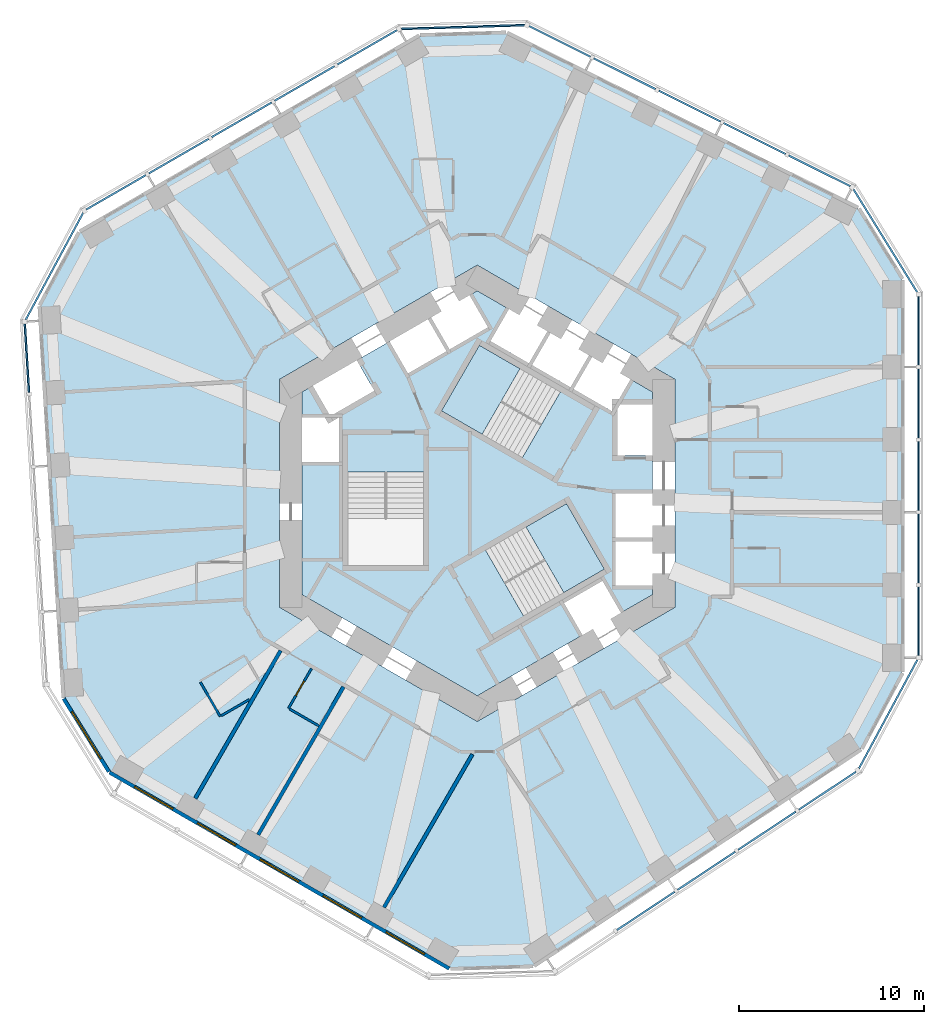
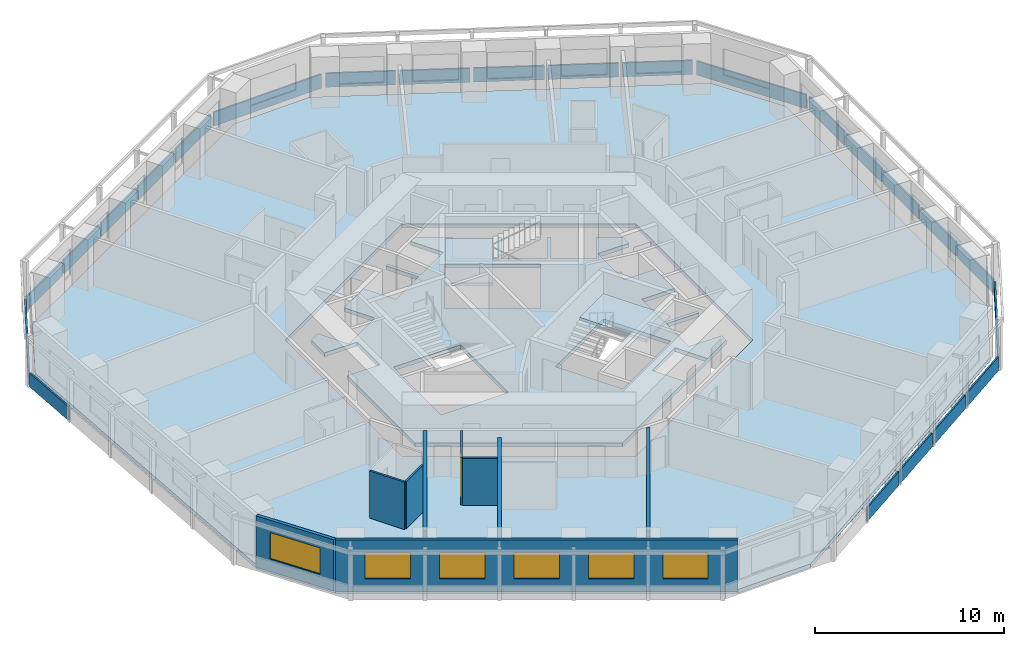
# One storey, part 3 of 12: 24 plates, 9 walls, 6 windows, 4 slabs, 1 door, 7 openings, 11 elements without a shape of their own.
"""IFC4 building model written with IfcOpenShell, lengths in metres."""

from ifc_helpers import new_model, si_unit, direction, frame, frame_2d, origin, origin_2d, place, context, subcontext, project, spatial, polyline, rectangle, outline, extrude, material, layer, layer_set, type_object, element, fill, aggregate, save


model = new_model("IFC4")

# Units and contexts
model_context = context("Model", 3, precision=1e-05, world=origin(), true_north=direction((0.0, 1.0)))
body_context = subcontext(model_context, "Body", "Model", "MODEL_VIEW")
ifc_project = project(units=[si_unit("LENGTHUNIT", "METRE"), si_unit("AREAUNIT", "SQUARE_METRE"), si_unit("VOLUMEUNIT", "CUBIC_METRE"), si_unit("PLANEANGLEUNIT", "RADIAN"), si_unit("MASSUNIT", "GRAM", prefix="KILO")], contexts=[model_context])

# Site, building, storey
site_placement = place(None, origin())
site = spatial("IfcSite", under=ifc_project, at=site_placement, CompositionType="ELEMENT")
building_placement = place(site_placement, origin())
building = spatial("IfcBuilding", under=site, at=building_placement, Name="Vanh Sen Convention Tower", CompositionType="ELEMENT")
storey_placement = place(building_placement, frame((0.0, 0.0, 47.300048828125)))
storey = spatial("IfcBuildingStorey", under=building, at=storey_placement, Name="L08", CompositionType="ELEMENT", Elevation=47.300048828125)

# Slabs
ifc_material_1 = material(Name="Concrete C40/50", Category="concrete")
ifc_layer_1 = layer(ifc_material_1, 0.25)
ifc_layer_set_1 = layer_set([ifc_layer_1], Name="Concrete C40/50")
slab_type_1 = type_object("IfcSlabType", Name="Core slab 250", PredefinedType="FLOOR", material=ifc_layer_set_1)
slab_1_placement = place(storey_placement, frame((0.0, 0.0, -0.25)))
element("IfcSlab", 1, at=slab_1_placement, inside=storey, type_object=slab_type_1, Name="Core slab L08", PredefinedType="FLOOR", context=body_context, shape_type="SweptSolid", body=[
    extrude(outline(polyline([(9.5, 5.48486328125), (9.5, 4.800048828125), (7.60009765625, 4.800048828125), (7.60009765625, 2.050048828125), (9.5, 2.050048828125), (9.5, 0.0), (7.5, 0.0), (7.5, -2.39990234375), (9.5, -2.39990234375), (9.5, -2.60009765625), (7.5, -2.60009765625), (7.5, -5.0), (9.5, -5.0), (9.5, -5.48486328125), (0.0, -10.9697265625), (-9.5, -5.48486328125), (-9.5, 1.699951171875), (-7.5, 1.699951171875), (-7.5, 4.10009765625), (-9.5, 4.10009765625), (-9.5, 5.48486328125), (-8.906982421875, 5.8271484375), (-7.956787109375, 4.181884765625), (-5.575439453125, 5.556884765625), (-6.525390625, 7.2021484375), (-4.75, 8.227294921875), (-3.75, 6.4951171875), (-1.67138671875, 7.6953125), (-2.67138671875, 9.42724609375), (-2.498291015625, 9.527099609375), (-1.498291015625, 7.795166015625), (0.580078125, 8.9951171875), (-0.419921875, 10.727294921875), (0.0, 10.9697265625), (1.718994140625, 9.977294921875), (0.718994140625, 8.2451171875), (2.79736328125, 7.045166015625), (3.79736328125, 8.777099609375), (3.970703125, 8.67724609375), (2.970703125, 6.9453125), (5.049072265625, 5.7451171875), (6.049072265625, 7.477294921875), (6.22216796875, 7.377197265625), (5.22216796875, 5.645263671875), (7.30078125, 4.4453125), (8.30078125, 6.17724609375), (9.5, 5.48486328125)]), holes=[polyline([(-7.0, 3.14990234375), (-7.0, -3.909912109375), (-2.89990234375, -3.909912109375), (-2.89990234375, 3.14990234375), (-2.89990234375, 1.1494140625), (-7.0, 1.1494140625), (-7.0, 3.14990234375)]), polyline([(4.495361328125, 5.487548828125), (6.22802734375, 4.4873046875), (0.11376953125, 8.01708984375), (-1.936279296875, 4.466552734375), (2.4453125, 1.936767578125), (4.495361328125, 5.487548828125)]), polyline([(7.781005859375, -6.477294921875), (6.781005859375, -4.7451171875), (4.70263671875, -5.9453125), (5.70263671875, -7.67724609375), (7.781005859375, -6.477294921875)]), polyline([(0.45458984375, -3.086181640625), (2.504638671875, -6.63671875), (6.88623046875, -4.107177734375), (4.836181640625, -0.556396484375), (-1.278076171875, -4.08642578125), (0.45458984375, -3.086181640625)])]), origin(), (0.0, 0.0, 1.0), 0.25),
])
ifc_layer_2 = layer(ifc_material_1, 0.25)
ifc_layer_set_2 = layer_set([ifc_layer_2], Name="Concrete C40/50")
slab_type_2 = type_object("IfcSlabType", Name="Floor slab 250 REI 120", PredefinedType="FLOOR", material=ifc_layer_set_2)
slab_2_placement = place(storey_placement, frame((0.0, 0.0, -0.25)))
element("IfcSlab", 2, at=slab_2_placement, inside=storey, type_object=slab_type_2, Name="Floor slab L08 tower", PredefinedType="FLOOR", context=body_context, shape_type="SweptSolid", body=[
    extrude(outline(polyline([(23.0, -9.69921875), (23.0, 11.57373046875), (20.620361328125, 15.419189453125), (1.58251953125, 24.911376953125), (-3.10009765625, 24.768310546875), (-21.523193359375, 14.131591796875), (-23.663818359375, 10.14794921875), (-22.364990234375, -11.085205078125), (-19.89990234375, -15.069091796875), (-1.476806640625, -25.705322265625), (3.04345703125, -25.5673828125), (20.78271484375, -13.825927734375), (23.0, -9.69921875)]), holes=[polyline([(0.0, 12.355224609375), (-10.699951171875, 6.177490234375), (-10.699951171875, -6.177490234375), (0.0, -12.355224609375), (10.699951171875, -6.177490234375), (10.699951171875, 6.177490234375), (0.0, 12.355224609375)])]), origin(), (0.0, 0.0, 1.0), 0.25),
])

# Curtain wall, plates
ifc_material_2 = material(Name="Concrete C50/60", Category="concrete")
curtain_wall_type = type_object("IfcCurtainWallType", Name="Outer skin hotel zone", PredefinedType="NOTDEFINED", material=ifc_material_2)
curtain_wall_1_placement = place(storey_placement, origin())
curtain_wall_1 = element("IfcCurtainWall", 3, at=curtain_wall_1_placement, inside=storey, type_object=curtain_wall_type, Name="OUTER SKIN E L08", PredefinedType="NOTDEFINED")
ifc_layer_3 = layer(ifc_material_2, 0.10009765625)
ifc_layer_set_3 = layer_set([ifc_layer_3], Name="Concrete C50/60")
plate_type = type_object("IfcPlateType", Name="Outer skin precast screen panel 100", PredefinedType="CURTAIN_PANEL", material=ifc_layer_set_3)
plate_1_placement = place(storey_placement, frame((23.89990234375, -6.91943359375, 0.0), z_axis=(0.0, 0.0, 1.0), x_axis=(0.0, 1.0, 0.0)))
plate_1 = element("IfcPlate", 4, at=plate_1_placement, type_object=plate_type, Name="OUTER SKIN screen panel E-1", PredefinedType="CURTAIN_PANEL", context=body_context, shape_type="SweptSolid", body=[
    extrude(rectangle(XDim=3.709716796875, YDim=0.10009765625, at=origin_2d()), origin(), (0.0, 0.0, 1.0), 0.89990234375),
])
plate_2_placement = place(storey_placement, frame((23.89990234375, -2.997314453125, 0.0), z_axis=(0.0, 0.0, 1.0), x_axis=(0.0, 1.0, 0.0)))
plate_2 = element("IfcPlate", 5, at=plate_2_placement, type_object=plate_type, Name="OUTER SKIN screen panel E-2", PredefinedType="CURTAIN_PANEL", context=body_context, shape_type="SweptSolid", body=[
    extrude(rectangle(XDim=3.734619140625, YDim=0.10009765625, at=origin_2d()), origin(), (0.0, 0.0, 1.0), 0.89990234375),
])
plate_3_placement = place(storey_placement, frame((23.89990234375, 0.937255859375, 0.0), z_axis=(0.0, 0.0, 1.0), x_axis=(0.0, 1.0, 0.0)))
plate_3 = element("IfcPlate", 6, at=plate_3_placement, type_object=plate_type, Name="OUTER SKIN screen panel E-3", PredefinedType="CURTAIN_PANEL", context=body_context, shape_type="SweptSolid", body=[
    extrude(rectangle(XDim=3.734619140625, YDim=0.10009765625, at=origin_2d()), origin(), (0.0, 0.0, 1.0), 0.89990234375),
])
plate_4_placement = place(storey_placement, frame((23.89990234375, 4.871826171875, 0.0), z_axis=(0.0, 0.0, 1.0), x_axis=(0.0, 1.0, 0.0)))
plate_4 = element("IfcPlate", 7, at=plate_4_placement, type_object=plate_type, Name="OUTER SKIN screen panel E-4", PredefinedType="CURTAIN_PANEL", context=body_context, shape_type="SweptSolid", body=[
    extrude(rectangle(XDim=3.734619140625, YDim=0.10009765625, at=origin_2d()), origin(), (0.0, 0.0, 1.0), 0.89990234375),
])
plate_5_placement = place(storey_placement, frame((23.89990234375, 8.7939453125, 0.0), z_axis=(0.0, 0.0, 1.0), x_axis=(0.0, 1.0, 0.0)))
plate_5 = element("IfcPlate", 8, at=plate_5_placement, type_object=plate_type, Name="OUTER SKIN screen panel E-5", PredefinedType="CURTAIN_PANEL", context=body_context, shape_type="SweptSolid", body=[
    extrude(rectangle(XDim=3.709716796875, YDim=0.10009765625, at=origin_2d()), origin(), (0.0, 0.0, 1.0), 0.89990234375),
])
aggregate(curtain_wall_1, [plate_1, plate_2, plate_3, plate_4, plate_5])

# Curtain wall, plate
curtain_wall_2_placement = place(storey_placement, origin())
curtain_wall_2 = element("IfcCurtainWall", 9, at=curtain_wall_2_placement, inside=storey, type_object=curtain_wall_type, Name="OUTER SKIN CH1 L08", PredefinedType="NOTDEFINED")
plate_6_placement = place(storey_placement, frame((22.102783203125, 13.677734375, 0.0), z_axis=(0.0, 0.0, 1.0), x_axis=(-0.526212439506, 0.850353143411, 0.0)))
plate_6 = element("IfcPlate", 10, at=plate_6_placement, type_object=plate_type, Name="OUTER SKIN screen panel CH1-1", PredefinedType="CURTAIN_PANEL", context=body_context, shape_type="SweptSolid", body=[
    extrude(rectangle(XDim=6.580078125, YDim=0.10009765625, at=origin_2d()), origin(), (0.0, 0.0, 1.0), 0.89990234375),
])
aggregate(curtain_wall_2, [plate_6])

# Curtain wall, plates
curtain_wall_3_placement = place(storey_placement, origin())
curtain_wall_3 = element("IfcCurtainWall", 11, at=curtain_wall_3_placement, inside=storey, type_object=curtain_wall_type, Name="OUTER SKIN NE L08", PredefinedType="NOTDEFINED")
plate_7_placement = place(storey_placement, frame((18.5341796875, 17.465087890625, 0.0), z_axis=(0.0, 0.0, 1.0), x_axis=(-0.894935140363, 0.446196251154, 0.0)))
plate_7 = element("IfcPlate", 12, at=plate_7_placement, type_object=plate_type, Name="OUTER SKIN screen panel NE-1", PredefinedType="CURTAIN_PANEL", context=body_context, shape_type="SweptSolid", body=[
    extrude(rectangle(XDim=3.709716796875, YDim=0.10009765625, at=origin_2d()), origin(), (0.0, 0.0, 1.0), 0.89990234375),
])
plate_8_placement = place(storey_placement, frame((15.024169921875, 19.215087890625, 0.0), z_axis=(0.0, 0.0, 1.0), x_axis=(-0.894935140363, 0.446196251154, 0.0)))
plate_8 = element("IfcPlate", 13, at=plate_8_placement, type_object=plate_type, Name="OUTER SKIN screen panel NE-2", PredefinedType="CURTAIN_PANEL", context=body_context, shape_type="SweptSolid", body=[
    extrude(rectangle(XDim=3.734619140625, YDim=0.10009765625, at=origin_2d()), origin(), (0.0, 0.0, 1.0), 0.89990234375),
])
plate_9_placement = place(storey_placement, frame((11.5029296875, 20.970703125, 0.0), z_axis=(0.0, 0.0, 1.0), x_axis=(-0.894935140363, 0.446196251154, 0.0)))
plate_9 = element("IfcPlate", 14, at=plate_9_placement, type_object=plate_type, Name="OUTER SKIN screen panel NE-3", PredefinedType="CURTAIN_PANEL", context=body_context, shape_type="SweptSolid", body=[
    extrude(rectangle(XDim=3.734619140625, YDim=0.10009765625, at=origin_2d()), origin(), (0.0, 0.0, 1.0), 0.89990234375),
])
plate_10_placement = place(storey_placement, frame((7.981689453125, 22.726318359375, 0.0), z_axis=(0.0, 0.0, 1.0), x_axis=(-0.894935140363, 0.446196251154, 0.0)))
plate_10 = element("IfcPlate", 15, at=plate_10_placement, type_object=plate_type, Name="OUTER SKIN screen panel NE-4", PredefinedType="CURTAIN_PANEL", context=body_context, shape_type="SweptSolid", body=[
    extrude(rectangle(XDim=3.734619140625, YDim=0.10009765625, at=origin_2d()), origin(), (0.0, 0.0, 1.0), 0.89990234375),
])
plate_11_placement = place(storey_placement, frame((4.4716796875, 24.476318359375, 0.0), z_axis=(0.0, 0.0, 1.0), x_axis=(-0.894935140363, 0.446196251154, 0.0)))
plate_11 = element("IfcPlate", 16, at=plate_11_placement, type_object=plate_type, Name="OUTER SKIN screen panel NE-5", PredefinedType="CURTAIN_PANEL", context=body_context, shape_type="SweptSolid", body=[
    extrude(rectangle(XDim=3.709716796875, YDim=0.10009765625, at=origin_2d()), origin(), (0.0, 0.0, 1.0), 0.89990234375),
])
aggregate(curtain_wall_3, [plate_7, plate_8, plate_9, plate_10, plate_11])

# Curtain wall, plate
curtain_wall_4_placement = place(storey_placement, origin())
curtain_wall_4 = element("IfcCurtainWall", 17, at=curtain_wall_4_placement, inside=storey, type_object=curtain_wall_type, Name="OUTER SKIN CH2 L08", PredefinedType="NOTDEFINED")
plate_12_placement = place(storey_placement, frame((-0.771484375, 25.253662109375, 0.0), z_axis=(0.0, 0.0, 1.0), x_axis=(-0.999533644135, -0.030536768695, 0.0)))
plate_12 = element("IfcPlate", 18, at=plate_12_placement, type_object=plate_type, Name="OUTER SKIN screen panel CH2-1", PredefinedType="CURTAIN_PANEL", context=body_context, shape_type="SweptSolid", body=[
    extrude(rectangle(XDim=6.696044921875, YDim=0.10009765625, at=origin_2d()), origin(), (0.0, 0.0, 1.0), 0.89990234375),
])
aggregate(curtain_wall_4, [plate_12])

# Curtain wall, plates
curtain_wall_5_placement = place(storey_placement, origin())
curtain_wall_5 = element("IfcCurtainWall", 19, at=curtain_wall_5_placement, inside=storey, type_object=curtain_wall_type, Name="OUTER SKIN NW L08", PredefinedType="NOTDEFINED")
plate_13_placement = place(storey_placement, frame((-5.95751953125, 24.15771484375, 0.0), z_axis=(0.0, 0.0, 1.0), x_axis=(-0.866028021766, -0.499995465495, 0.0)))
plate_13 = element("IfcPlate", 20, at=plate_13_placement, type_object=plate_type, Name="OUTER SKIN screen panel NW-1", PredefinedType="CURTAIN_PANEL", context=body_context, shape_type="SweptSolid", body=[
    extrude(rectangle(XDim=3.709716796875, YDim=0.10009765625, at=origin_2d()), origin(), (0.0, 0.0, 1.0), 0.89990234375),
])
plate_14_placement = place(storey_placement, frame((-9.354248046875, 22.19677734375, 0.0), z_axis=(0.0, 0.0, 1.0), x_axis=(-0.866021040428, -0.500007557478, 0.0)))
plate_14 = element("IfcPlate", 21, at=plate_14_placement, type_object=plate_type, Name="OUTER SKIN screen panel NW-2", PredefinedType="CURTAIN_PANEL", context=body_context, shape_type="SweptSolid", body=[
    extrude(rectangle(XDim=3.734619140625, YDim=0.10009765625, at=origin_2d()), origin(), (0.0, 0.0, 1.0), 0.89990234375),
])
plate_15_placement = place(storey_placement, frame((-12.76171875, 20.2294921875, 0.0), z_axis=(0.0, 0.0, 1.0), x_axis=(-0.866028021766, -0.499995465495, 0.0)))
plate_15 = element("IfcPlate", 22, at=plate_15_placement, type_object=plate_type, Name="OUTER SKIN screen panel NW-3", PredefinedType="CURTAIN_PANEL", context=body_context, shape_type="SweptSolid", body=[
    extrude(rectangle(XDim=3.734619140625, YDim=0.10009765625, at=origin_2d()), origin(), (0.0, 0.0, 1.0), 0.89990234375),
])
plate_16_placement = place(storey_placement, frame((-16.169189453125, 18.26220703125, 0.0), z_axis=(0.0, 0.0, 1.0), x_axis=(-0.866028021766, -0.499995465495, 0.0)))
plate_16 = element("IfcPlate", 23, at=plate_16_placement, type_object=plate_type, Name="OUTER SKIN screen panel NW-4", PredefinedType="CURTAIN_PANEL", context=body_context, shape_type="SweptSolid", body=[
    extrude(rectangle(XDim=3.734619140625, YDim=0.10009765625, at=origin_2d()), origin(), (0.0, 0.0, 1.0), 0.89990234375),
])
plate_17_placement = place(storey_placement, frame((-19.56591796875, 16.301025390625, 0.0), z_axis=(0.0, 0.0, 1.0), x_axis=(-0.866021040428, -0.500007557478, 0.0)))
plate_17 = element("IfcPlate", 24, at=plate_17_placement, type_object=plate_type, Name="OUTER SKIN screen panel NW-5", PredefinedType="CURTAIN_PANEL", context=body_context, shape_type="SweptSolid", body=[
    extrude(rectangle(XDim=3.70947265625, YDim=0.10009765625, at=origin_2d()), origin(), (0.0, 0.0, 1.0), 0.89990234375),
])
aggregate(curtain_wall_5, [plate_13, plate_14, plate_15, plate_16, plate_17])

# Curtain wall, plate
curtain_wall_6_placement = place(storey_placement, origin())
curtain_wall_6 = element("IfcCurtainWall", 25, at=curtain_wall_6_placement, inside=storey, type_object=curtain_wall_type, Name="OUTER SKIN CH3 L08", PredefinedType="NOTDEFINED")
plate_18_placement = place(storey_placement, frame((-22.896728515625, 12.302978515625, 0.0), z_axis=(0.0, 0.0, 1.0), x_axis=(-0.47331812974, -0.880891564303, 0.0)))
plate_18 = element("IfcPlate", 26, at=plate_18_placement, type_object=plate_type, Name="OUTER SKIN screen panel CH3-1", PredefinedType="CURTAIN_PANEL", context=body_context, shape_type="SweptSolid", body=[
    extrude(rectangle(XDim=6.580078125, YDim=0.10009765625, at=origin_2d()), origin(), (0.0, 0.0, 1.0), 0.89990234375),
])
aggregate(curtain_wall_6, [plate_18])

curtain_wall_7_placement = place(storey_placement, origin())
curtain_wall_7 = element("IfcCurtainWall", 27, at=curtain_wall_7_placement, inside=storey, type_object=curtain_wall_type, Name="OUTER SKIN W L08", PredefinedType="NOTDEFINED")
plate_19_placement = place(storey_placement, frame((-24.39208984375, 7.318603515625, 0.0), z_axis=(0.0, 0.0, 1.0), x_axis=(0.061046797461, -0.99813490497, 0.0)))
plate_19 = element("IfcPlate", 28, at=plate_19_placement, type_object=plate_type, Name="OUTER SKIN screen panel W-1", PredefinedType="CURTAIN_PANEL", context=body_context, shape_type="SweptSolid", body=[
    extrude(rectangle(XDim=3.709716796875, YDim=0.10009765625, at=origin_2d()), origin(), (0.0, 0.0, 1.0), 0.89990234375),
])
aggregate(curtain_wall_7, [plate_19])

# Curtain wall, plates
curtain_wall_8_placement = place(storey_placement, origin())
curtain_wall_8 = element("IfcCurtainWall", 29, at=curtain_wall_8_placement, inside=storey, type_object=curtain_wall_type, Name="OUTER SKIN SE L08", PredefinedType="NOTDEFINED")
plate_20_placement = place(storey_placement, frame((9.128662109375, -22.618896484375, 0.0), z_axis=(0.0, 0.0, 1.0), x_axis=(0.833891601892, 0.55192825285, 0.0)))
plate_20 = element("IfcPlate", 30, at=plate_20_placement, type_object=plate_type, Name="OUTER SKIN screen panel SE-2", PredefinedType="CURTAIN_PANEL", context=body_context, shape_type="SweptSolid", body=[
    extrude(rectangle(XDim=3.734619140625, YDim=0.10009765625, at=origin_2d()), origin(), (0.0, 0.0, 1.0), 0.89990234375),
])
plate_21_placement = place(storey_placement, frame((12.40966796875, -20.447265625, 0.0), z_axis=(0.0, 0.0, 1.0), x_axis=(0.833880042151, 0.551945717714, 0.0)))
plate_21 = element("IfcPlate", 31, at=plate_21_placement, type_object=plate_type, Name="OUTER SKIN screen panel SE-3", PredefinedType="CURTAIN_PANEL", context=body_context, shape_type="SweptSolid", body=[
    extrude(rectangle(XDim=3.734619140625, YDim=0.10009765625, at=origin_2d()), origin(), (0.0, 0.0, 1.0), 0.89990234375),
])
plate_22_placement = place(storey_placement, frame((15.690673828125, -18.275390625, 0.0), z_axis=(0.0, 0.0, 1.0), x_axis=(0.833891601892, 0.55192825285, 0.0)))
plate_22 = element("IfcPlate", 32, at=plate_22_placement, type_object=plate_type, Name="OUTER SKIN screen panel SE-4", PredefinedType="CURTAIN_PANEL", context=body_context, shape_type="SweptSolid", body=[
    extrude(rectangle(XDim=3.734619140625, YDim=0.10009765625, at=origin_2d()), origin(), (0.0, 0.0, 1.0), 0.89990234375),
])
plate_23_placement = place(storey_placement, frame((18.961181640625, -16.11083984375, 0.0), z_axis=(0.0, 0.0, 1.0), x_axis=(0.833880042151, 0.551945717714, 0.0)))
plate_23 = element("IfcPlate", 33, at=plate_23_placement, type_object=plate_type, Name="OUTER SKIN screen panel SE-5", PredefinedType="CURTAIN_PANEL", context=body_context, shape_type="SweptSolid", body=[
    extrude(rectangle(XDim=3.709716796875, YDim=0.10009765625, at=origin_2d()), origin(), (0.0, 0.0, 1.0), 0.89990234375),
])
aggregate(curtain_wall_8, [plate_20, plate_21, plate_22, plate_23])

# Curtain wall, plate
curtain_wall_9_placement = place(storey_placement, origin())
curtain_wall_9 = element("IfcCurtainWall", 34, at=curtain_wall_9_placement, inside=storey, type_object=curtain_wall_type, Name="OUTER SKIN CH6 L08", PredefinedType="NOTDEFINED")
plate_24_placement = place(storey_placement, frame((22.256103515625, -11.95849609375, 0.0), z_axis=(0.0, 0.0, 1.0), x_axis=(0.473322742071, 0.880889086003, 0.0)))
plate_24 = element("IfcPlate", 35, at=plate_24_placement, type_object=plate_type, Name="OUTER SKIN screen panel CH6-1", PredefinedType="CURTAIN_PANEL", context=body_context, shape_type="SweptSolid", body=[
    extrude(rectangle(XDim=6.6962890625, YDim=0.10009765625, at=origin_2d()), origin(), (0.0, 0.0, 1.0), 0.89990234375),
])
aggregate(curtain_wall_9, [plate_24])

# Stair, slab
ifc_material_3 = material(Name="Concrete C50/60", Category="concrete")
stair_type_1 = type_object("IfcStairType", Name="Exit stair ST1 20 risers at 165.0", PredefinedType="HALF_TURN_STAIR", material=ifc_material_3)
stair_1_placement = place(storey_placement, origin())
stair_1 = element("IfcStair", 36, at=stair_1_placement, inside=storey, type_object=stair_type_1, Name="Exit stair ST1 L08", PredefinedType="HALF_TURN_STAIR")
ifc_layer_4 = layer(ifc_material_1, 0.199951171875)
ifc_layer_set_4 = layer_set([ifc_layer_4], Name="Concrete C40/50")
slab_type_3 = type_object("IfcSlabType", Name="Stair landing 200", PredefinedType="LANDING", material=ifc_layer_set_4)
slab_3_placement = place(storey_placement, frame((0.0, 0.0, 1.449951171875)))
slab_3 = element("IfcSlab", 37, at=slab_3_placement, type_object=slab_type_3, Name="ST1 landing 1", PredefinedType="LANDING", context=body_context, shape_type="SweptSolid", body=[
    extrude(outline(polyline([(2.314208984375, 6.746826171875), (0.11376953125, 8.01708984375), (-1.936279296875, 4.466552734375), (0.26416015625, 3.196044921875), (2.314208984375, 6.746826171875)])), origin(), (0.0, 0.0, 1.0), 0.199951171875),
])
aggregate(stair_1, [slab_3])

stair_type_2 = type_object("IfcStairType", Name="Exit stair ST3 20 risers at 165.0", PredefinedType="HALF_TURN_STAIR", material=ifc_material_3)
stair_2_placement = place(storey_placement, origin())
stair_2 = element("IfcStair", 38, at=stair_2_placement, inside=storey, type_object=stair_type_2, Name="Exit stair ST3 L08", PredefinedType="HALF_TURN_STAIR")
slab_4_placement = place(storey_placement, frame((0.0, 0.0, 1.449951171875)))
slab_4 = element("IfcSlab", 39, at=slab_4_placement, type_object=slab_type_3, Name="ST3 landing 1", PredefinedType="LANDING", context=body_context, shape_type="SweptSolid", body=[
    extrude(outline(polyline([(4.685791015625, -5.37744140625), (6.88623046875, -4.107177734375), (4.836181640625, -0.556396484375), (2.6357421875, -1.826904296875), (4.685791015625, -5.37744140625)])), origin(), (0.0, 0.0, 1.0), 0.199951171875),
])
aggregate(stair_2, [slab_4])

# Walls
ifc_material_4 = material(Name="Moisture-resistant gypsum board on steel studs", Category="steel")
ifc_layer_5 = layer(ifc_material_4, 0.1201171875)
ifc_layer_set_5 = layer_set([ifc_layer_5], Name="Moisture-resistant gypsum board on steel studs")
wall_type_1 = type_object("IfcWallType", Name="Bathroom partition 120", PredefinedType="PARTITIONING", material=ifc_layer_set_5)
wall_1_placement = place(storey_placement, frame((-13.92578125, -12.081298828125, 0.0), z_axis=(0.0, 0.0, 1.0), x_axis=(-0.499992422807, 0.866029778435, 0.0)))
element("IfcWall", 40, at=wall_1_placement, inside=storey, type_object=wall_type_1, Name="Bathroom partition 120", PredefinedType="PARTITIONING", context=body_context, shape_type="SweptSolid", body=[
    extrude(rectangle(XDim=2.1396484375, YDim=0.1201171875, at=frame_2d((1.06982421875, 0.0))), origin(), (0.0, 0.0, 1.0), 3.050048828125),
])
wall_2_placement = place(storey_placement, frame((-12.341552734375, -11.166748046875, 0.0), z_axis=(0.0, 0.0, 1.0), x_axis=(-0.865992557167, -0.500056887695, 0.0)))
element("IfcWall", 41, at=wall_2_placement, inside=storey, type_object=wall_type_1, Name="Bathroom partition 120", PredefinedType="PARTITIONING", context=body_context, shape_type="SweptSolid", body=[
    extrude(rectangle(XDim=1.769287109375, YDim=0.1201171875, at=frame_2d((0.884765625, 0.0))), origin(), (0.0, 0.0, 1.0), 3.050048828125),
])

# Wall, opening, door
wall_3_placement = place(storey_placement, frame((-10.22412109375, -11.6484375, 0.0), z_axis=(0.0, 0.0, 1.0), x_axis=(0.500004234368, 0.866022959057, 0.0)))
wall_3 = element("IfcWall", 42, at=wall_3_placement, inside=storey, type_object=wall_type_1, Name="Bathroom partition 120", PredefinedType="PARTITIONING", context=body_context, shape_type="SweptSolid", body=[
    extrude(rectangle(XDim=2.5, YDim=0.1201171875, at=frame_2d((1.25, 0.0))), origin(), (0.0, 0.0, 1.0), 3.050048828125),
])
opening_1_placement = place(wall_3_placement, frame((0.800048828125, 0.0, 0.0)))
opening_1 = element("IfcOpeningElement", 43, at=opening_1_placement, cuts=wall_3, Name="Opening D07125", PredefinedType="OPENING", context=body_context, shape_type="SweptSolid", body=[
    extrude(rectangle(XDim=0.89990234375, YDim=2.10009765625, at=frame_2d((0.449951171875, 1.050048828125))), frame((0.0, 0.070068359375, 0.0), z_axis=(0.0, -1.0, 0.0), x_axis=(1.0, 0.0, 0.0)), (0.0, 0.0, 1.0), 0.14013671875),
])
ifc_material_5 = material(Name="Laminate door in steel frame", Category="steel")
door_type = type_object("IfcDoorType", Name="En-suite door 900", OperationType="SINGLE_SWING_LEFT", PredefinedType="DOOR", material=ifc_material_5)
door_placement = place(opening_1_placement, origin())
door = element("IfcDoor", 44, at=door_placement, inside=storey, type_object=door_type, Name="En-suite door D07125", OperationType="SINGLE_SWING_LEFT", OverallHeight=2.10009765625, OverallWidth=0.89990234375, PredefinedType="DOOR", context=body_context, shape_type="SweptSolid", body=[
    extrude(rectangle(XDim=0.89990234375, YDim=2.10009765625, at=frame_2d((0.449951171875, 1.050048828125))), frame((0.0, 0.02490234375, 0.0), z_axis=(0.0, -1.0, 0.0), x_axis=(1.0, 0.0, 0.0)), (0.0, 0.0, 1.0), 0.050048828125),
])
fill(opening_1, door)

# Wall
wall_4_placement = place(storey_placement, frame((-8.57861328125, -12.598388671875, 0.0), z_axis=(0.0, 0.0, 1.0), x_axis=(-0.866046386007, 0.499963655964, 0.0)))
element("IfcWall", 45, at=wall_4_placement, inside=storey, type_object=wall_type_1, Name="Bathroom partition 120", PredefinedType="PARTITIONING", context=body_context, shape_type="SweptSolid", body=[
    extrude(rectangle(XDim=1.840087890625, YDim=0.1201171875, at=frame_2d((0.919921875, 0.0))), origin(), (0.0, 0.0, 1.0), 3.050048828125),
])

# Wall, opening, window
ifc_material_6 = material(Name="Insulated lightweight infill wall")
ifc_layer_6 = layer(ifc_material_6, 0.199951171875)
ifc_layer_set_6 = layer_set([ifc_layer_6], Name="Insulated lightweight infill wall")
wall_type_2 = type_object("IfcWallType", Name="External wall 200", PredefinedType="STANDARD", material=ifc_layer_set_6)
wall_5_placement = place(storey_placement, frame((-22.40087890625, -11.122314453125, 0.0), z_axis=(0.0, 0.0, 1.0), x_axis=(0.526197679914, -0.850362276711, 0.0)))
wall_5 = element("IfcWall", 46, at=wall_5_placement, inside=storey, type_object=wall_type_2, Name="External wall CH4 L08", PredefinedType="STANDARD", context=body_context, shape_type="SweptSolid", body=[
    extrude(rectangle(XDim=4.65966796875, YDim=0.199951171875, at=frame_2d((2.329833984375, 0.0))), origin(), (0.0, 0.0, 1.0), 3.300048828125),
])
opening_2_placement = place(wall_5_placement, frame((0.829833984375, 0.0, 0.800048828125)))
opening_2 = element("IfcOpeningElement", 47, at=opening_2_placement, cuts=wall_5, Name="Opening WH2-CH41", PredefinedType="OPENING", context=body_context, shape_type="SweptSolid", body=[
    extrude(rectangle(XDim=3.0, YDim=1.699951171875, at=frame_2d((1.5, 0.85009765625))), frame((0.0, 0.10986328125, 0.0), z_axis=(0.0, -1.0, 0.0), x_axis=(1.0, 0.0, 0.0)), (0.0, 0.0, 1.0), 0.219970703125),
])
ifc_material_7 = material(Name="Aluminium frame with clear low-emissivity glass", Category="aluminium")
window_type_1 = type_object("IfcWindowType", Name="Hotel window 3000 x 1700", PartitioningType="SINGLE_PANEL", PredefinedType="WINDOW", material=ifc_material_7)
window_1_placement = place(opening_2_placement, origin())
window_1 = element("IfcWindow", 48, at=window_1_placement, inside=storey, type_object=window_type_1, Name="Window WH2-CH41", OverallHeight=1.699951171875, OverallWidth=3.0, PartitioningType="SINGLE_PANEL", PredefinedType="WINDOW", context=body_context, shape_type="SweptSolid", body=[
    extrude(rectangle(XDim=3.0, YDim=1.699951171875, at=frame_2d((1.5, 0.85009765625))), frame((0.0, 0.030029296875, 0.0), z_axis=(0.0, -1.0, 0.0), x_axis=(1.0, 0.0, 0.0)), (0.0, 0.0, 1.0), 0.06005859375),
])
fill(opening_2, window_1)

# Wall, openings, windows
wall_6_placement = place(storey_placement, frame((-19.913818359375, -15.11865234375, 0.0), z_axis=(0.0, 0.0, 1.0), x_axis=(0.866025418898, -0.499999973822, 0.0)))
wall_6 = element("IfcWall", 49, at=wall_6_placement, inside=storey, type_object=wall_type_2, Name="External wall SW L08", PredefinedType="STANDARD", context=body_context, shape_type="SweptSolid", body=[
    extrude(rectangle(XDim=21.24609375, YDim=0.199951171875, at=frame_2d((10.623046875, 0.0))), origin(), (0.0, 0.0, 1.0), 3.300048828125),
])
opening_3_placement = place(wall_6_placement, frame((1.5546875, 0.0, 0.800048828125)))
opening_3 = element("IfcOpeningElement", 50, at=opening_3_placement, cuts=wall_6, Name="Opening WH1-SW1", PredefinedType="OPENING", context=body_context, shape_type="SweptSolid", body=[
    extrude(rectangle(XDim=2.39990234375, YDim=1.699951171875, at=frame_2d((1.199951171875, 0.85009765625))), frame((0.0, 0.10986328125, 0.0), z_axis=(0.0, -1.0, 0.0), x_axis=(1.0, 0.0, 0.0)), (0.0, 0.0, 1.0), 0.219970703125),
])
opening_4_placement = place(wall_6_placement, frame((5.4892578125, 0.0, 0.800048828125)))
opening_4 = element("IfcOpeningElement", 51, at=opening_4_placement, cuts=wall_6, Name="Opening WH1-SW2", PredefinedType="OPENING", context=body_context, shape_type="SweptSolid", body=[
    extrude(rectangle(XDim=2.39990234375, YDim=1.699951171875, at=frame_2d((1.199951171875, 0.85009765625))), frame((0.0, 0.10986328125, 0.0), z_axis=(0.0, -1.0, 0.0), x_axis=(1.0, 0.0, 0.0)), (0.0, 0.0, 1.0), 0.219970703125),
])
opening_5_placement = place(wall_6_placement, frame((9.423828125, 0.0, 0.800048828125)))
opening_5 = element("IfcOpeningElement", 52, at=opening_5_placement, cuts=wall_6, Name="Opening WH1-SW3", PredefinedType="OPENING", context=body_context, shape_type="SweptSolid", body=[
    extrude(rectangle(XDim=2.39990234375, YDim=1.699951171875, at=frame_2d((1.199951171875, 0.85009765625))), frame((0.0, 0.10986328125, 0.0), z_axis=(0.0, -1.0, 0.0), x_axis=(1.0, 0.0, 0.0)), (0.0, 0.0, 1.0), 0.219970703125),
])
opening_6_placement = place(wall_6_placement, frame((13.3583984375, 0.0, 0.800048828125)))
opening_6 = element("IfcOpeningElement", 53, at=opening_6_placement, cuts=wall_6, Name="Opening WH1-SW4", PredefinedType="OPENING", context=body_context, shape_type="SweptSolid", body=[
    extrude(rectangle(XDim=2.39990234375, YDim=1.699951171875, at=frame_2d((1.199951171875, 0.85009765625))), frame((0.0, 0.10986328125, 0.0), z_axis=(0.0, -1.0, 0.0), x_axis=(1.0, 0.0, 0.0)), (0.0, 0.0, 1.0), 0.219970703125),
])
opening_7_placement = place(wall_6_placement, frame((17.293212890625, 0.0, 0.800048828125)))
opening_7 = element("IfcOpeningElement", 54, at=opening_7_placement, cuts=wall_6, Name="Opening WH1-SW5", PredefinedType="OPENING", context=body_context, shape_type="SweptSolid", body=[
    extrude(rectangle(XDim=2.39990234375, YDim=1.699951171875, at=frame_2d((1.199951171875, 0.85009765625))), frame((0.0, 0.10986328125, 0.0), z_axis=(0.0, -1.0, 0.0), x_axis=(1.0, 0.0, 0.0)), (0.0, 0.0, 1.0), 0.219970703125),
])
window_type_2 = type_object("IfcWindowType", Name="Hotel window 2400 x 1700", PartitioningType="SINGLE_PANEL", PredefinedType="WINDOW", material=ifc_material_7)
window_2_placement = place(opening_3_placement, origin())
window_2 = element("IfcWindow", 55, at=window_2_placement, inside=storey, type_object=window_type_2, Name="Window WH1-SW1", OverallHeight=1.699951171875, OverallWidth=2.39990234375, PartitioningType="SINGLE_PANEL", PredefinedType="WINDOW", context=body_context, shape_type="SweptSolid", body=[
    extrude(rectangle(XDim=2.39990234375, YDim=1.699951171875, at=frame_2d((1.199951171875, 0.85009765625))), frame((0.0, 0.030029296875, 0.0), z_axis=(0.0, -1.0, 0.0), x_axis=(1.0, 0.0, 0.0)), (0.0, 0.0, 1.0), 0.06005859375),
])
fill(opening_3, window_2)
window_3_placement = place(opening_4_placement, origin())
window_3 = element("IfcWindow", 56, at=window_3_placement, inside=storey, type_object=window_type_2, Name="Window WH1-SW2", OverallHeight=1.699951171875, OverallWidth=2.39990234375, PartitioningType="SINGLE_PANEL", PredefinedType="WINDOW", context=body_context, shape_type="SweptSolid", body=[
    extrude(rectangle(XDim=2.39990234375, YDim=1.699951171875, at=frame_2d((1.199951171875, 0.85009765625))), frame((0.0, 0.030029296875, 0.0), z_axis=(0.0, -1.0, 0.0), x_axis=(1.0, 0.0, 0.0)), (0.0, 0.0, 1.0), 0.06005859375),
])
fill(opening_4, window_3)
window_4_placement = place(opening_5_placement, origin())
window_4 = element("IfcWindow", 57, at=window_4_placement, inside=storey, type_object=window_type_2, Name="Window WH1-SW3", OverallHeight=1.699951171875, OverallWidth=2.39990234375, PartitioningType="SINGLE_PANEL", PredefinedType="WINDOW", context=body_context, shape_type="SweptSolid", body=[
    extrude(rectangle(XDim=2.39990234375, YDim=1.699951171875, at=frame_2d((1.199951171875, 0.85009765625))), frame((0.0, 0.030029296875, 0.0), z_axis=(0.0, -1.0, 0.0), x_axis=(1.0, 0.0, 0.0)), (0.0, 0.0, 1.0), 0.06005859375),
])
fill(opening_5, window_4)
window_5_placement = place(opening_6_placement, origin())
window_5 = element("IfcWindow", 58, at=window_5_placement, inside=storey, type_object=window_type_2, Name="Window WH1-SW4", OverallHeight=1.699951171875, OverallWidth=2.39990234375, PartitioningType="SINGLE_PANEL", PredefinedType="WINDOW", context=body_context, shape_type="SweptSolid", body=[
    extrude(rectangle(XDim=2.39990234375, YDim=1.699951171875, at=frame_2d((1.199951171875, 0.85009765625))), frame((0.0, 0.030029296875, 0.0), z_axis=(0.0, -1.0, 0.0), x_axis=(1.0, 0.0, 0.0)), (0.0, 0.0, 1.0), 0.06005859375),
])
fill(opening_6, window_5)
window_6_placement = place(opening_7_placement, origin())
window_6 = element("IfcWindow", 59, at=window_6_placement, inside=storey, type_object=window_type_2, Name="Window WH1-SW5", OverallHeight=1.699951171875, OverallWidth=2.39990234375, PartitioningType="SINGLE_PANEL", PredefinedType="WINDOW", context=body_context, shape_type="SweptSolid", body=[
    extrude(rectangle(XDim=2.39990234375, YDim=1.699951171875, at=frame_2d((1.199951171875, 0.85009765625))), frame((0.0, 0.030029296875, 0.0), z_axis=(0.0, -1.0, 0.0), x_axis=(1.0, 0.0, 0.0)), (0.0, 0.0, 1.0), 0.06005859375),
])
fill(opening_7, window_6)

# Walls
ifc_material_8 = material(Name="Gypsum board on steel studs with mineral wool", Category="steel")
ifc_layer_7 = layer(ifc_material_8, 0.199951171875)
ifc_layer_set_7 = layer_set([ifc_layer_7], Name="Gypsum board on steel studs with mineral wool")
wall_type_3 = type_object("IfcWallType", Name="Hotel party wall 200", PredefinedType="PARTITIONING", material=ifc_layer_set_7)
wall_7_placement = place(storey_placement, frame((-15.2744140625, -16.527099609375, 0.0), z_axis=(0.0, 0.0, 1.0), x_axis=(0.49998823431, 0.866032196602, 0.0)))
element("IfcWall", 60, at=wall_7_placement, inside=storey, type_object=wall_type_3, Name="Hotel party wall 200", PredefinedType="PARTITIONING", context=body_context, shape_type="SweptSolid", body=[
    extrude(rectangle(XDim=9.250244140625, YDim=0.199951171875, at=frame_2d((4.625, 0.0))), origin(), (0.0, 0.0, 1.0), 3.050048828125),
])
wall_8_placement = place(storey_placement, frame((-11.8671875, -18.494140625, 0.0), z_axis=(0.0, 0.0, 1.0), x_axis=(0.499999662836, 0.866025598446, 0.0)))
element("IfcWall", 61, at=wall_8_placement, inside=storey, type_object=wall_type_3, Name="Hotel party wall 200", PredefinedType="PARTITIONING", context=body_context, shape_type="SweptSolid", body=[
    extrude(rectangle(XDim=9.25, YDim=0.199951171875, at=frame_2d((4.625, 0.0))), origin(), (0.0, 0.0, 1.0), 2.599853515625),
])
wall_9_placement = place(storey_placement, frame((-5.052001953125, -22.4287109375, 0.0), z_axis=(0.0, 0.0, 1.0), x_axis=(0.500004329283, 0.866022904257, 0.0)))
element("IfcWall", 62, at=wall_9_placement, inside=storey, type_object=wall_type_3, Name="Hotel party wall 200", PredefinedType="PARTITIONING", context=body_context, shape_type="SweptSolid", body=[
    extrude(rectangle(XDim=9.57177734375, YDim=0.199951171875, at=frame_2d((4.785888671875, 0.0))), origin(), (0.0, 0.0, 1.0), 3.050048828125),
])

save(model, "model.ifc")
